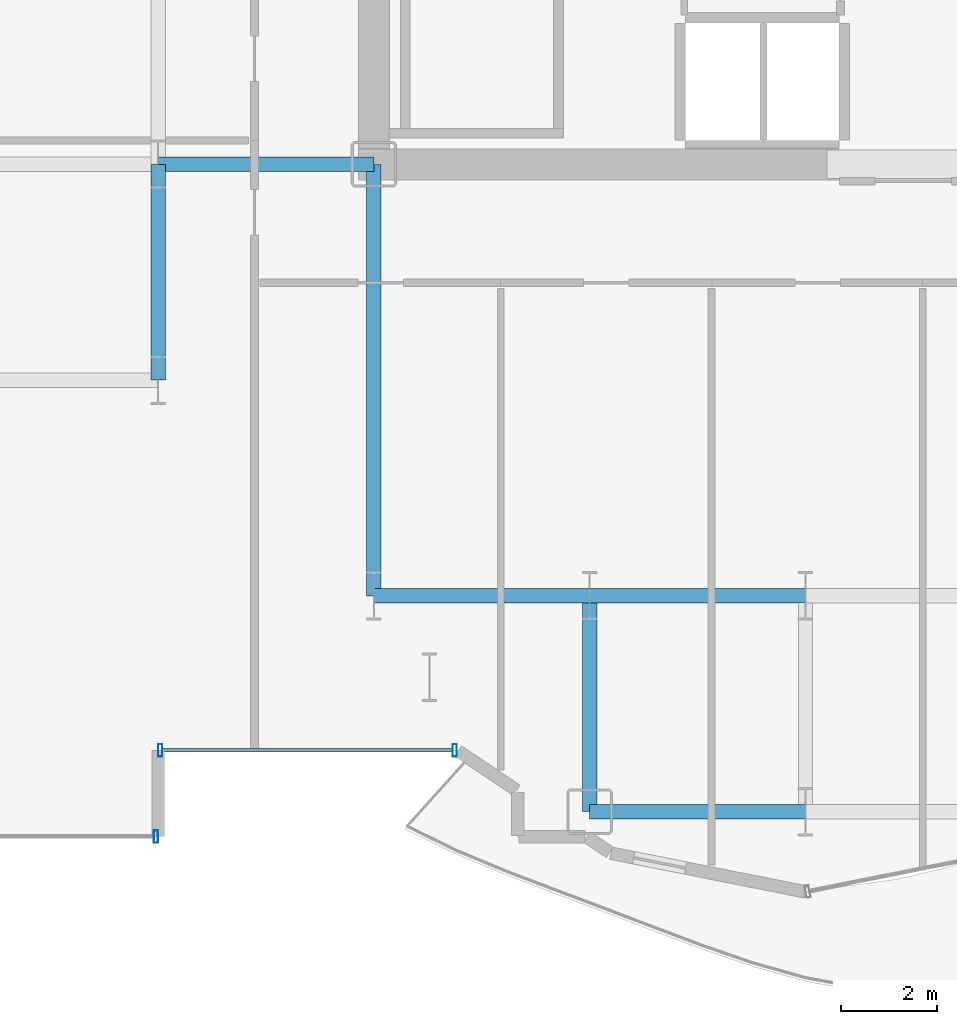
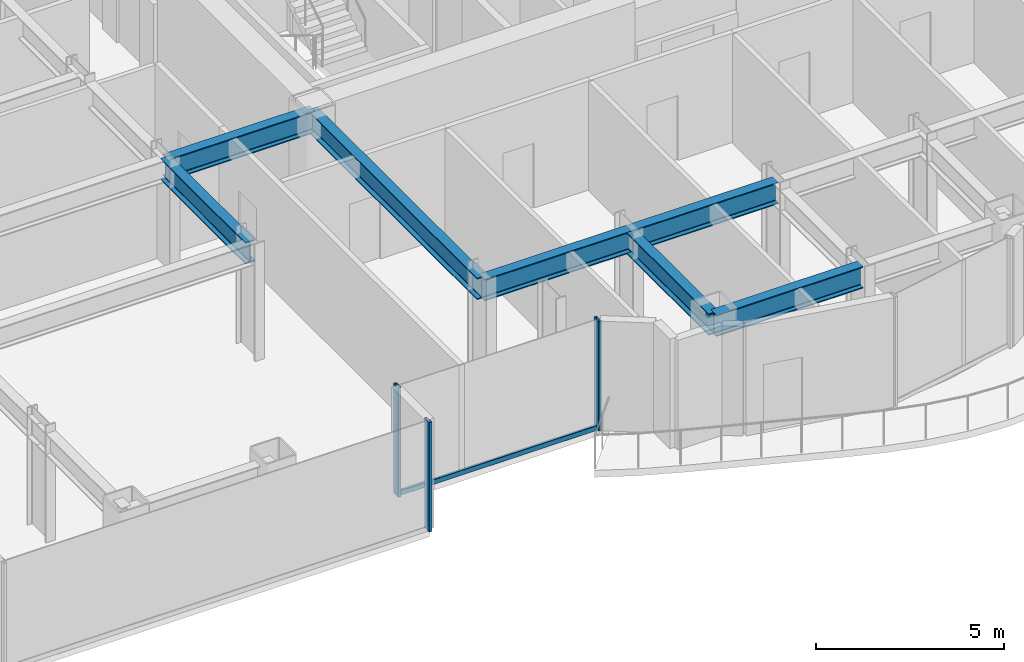
# One storey, part 4 of 29: 7 beams, 4 members, 2 elements without a shape of their own.
"""IFC4 building model written with IfcOpenShell, lengths in metres."""

from ifc_helpers import new_model, si_unit, direction, frame, origin, origin_2d, place, context, subcontext, project, spatial, hollow_rectangle, i_section, extrude, source, transform, mapped, material, layer, layer_set, material_profile, profile_set, type_object, element, aggregate, save


model = new_model("IFC4")

# Units and contexts
model_context = context("Model", 3, precision=1e-05, world=origin(), true_north=direction((0.0, 1.0)))
body_context = subcontext(model_context, "Body", "Model", "MODEL_VIEW")
ifc_project = project(units=[si_unit("LENGTHUNIT", "METRE"), si_unit("AREAUNIT", "SQUARE_METRE"), si_unit("VOLUMEUNIT", "CUBIC_METRE"), si_unit("PLANEANGLEUNIT", "RADIAN"), si_unit("MASSUNIT", "GRAM", prefix="KILO")], contexts=[model_context])

# Site, building, storey
site_placement = place(None, origin())
site = spatial("IfcSite", under=ifc_project, at=site_placement, CompositionType="ELEMENT")
building_placement = place(site_placement, origin())
building = spatial("IfcBuilding", under=site, at=building_placement, Name="Nefas-Gora Pilgrimage Tower", CompositionType="ELEMENT")
storey_placement = place(building_placement, frame((0.0, 0.0, 44.39990234375)))
storey = spatial("IfcBuildingStorey", under=building, at=storey_placement, Name="L09", CompositionType="ELEMENT", Elevation=44.39990234375)

# Beams
ifc_material_1 = material(Name="Steel S355", Category="steel")
ifc_material_profile_1 = material_profile(ifc_material_1, i_section(OverallWidth=0.300048828125, OverallDepth=0.699951171875, WebThickness=0.01708984375, FlangeThickness=0.031982421875, FilletRadius=0.027099609375, at=origin_2d()), Name="HEB 700")
ifc_profile_set_1 = profile_set([ifc_material_profile_1], Name="Steel S355")
beam_type = type_object("IfcBeamType", Name="BM-GIR-HEB700", PredefinedType="BEAM", material=ifc_profile_set_1)
shared_shape_1 = source(origin(), body_context, "Body", "SweptSolid", [
    extrude(i_section(OverallWidth=0.300048828125, OverallDepth=0.699951171875, WebThickness=0.01708984375, FlangeThickness=0.031982421875, FilletRadius=0.027099609375, at=origin_2d()), origin(), (0.0, 0.0, 1.0), 9.0),
])
beam_placement = place(storey_placement, frame((-11.25, -18.0, 3.2001953125), z_axis=(0.0, 1.0, 0.0), x_axis=(-1.0, 0.0, 0.0)))
element("IfcBeam", 1, at=beam_placement, inside=storey, type_object=beam_type, Name="L09 G-02 beam", PredefinedType="BEAM", context=body_context, shape_type="MappedRepresentation", body=[
    mapped(shared_shape_1, transform((0.0, 0.0, 0.0), x_axis=(1.0, 0.0, 0.0), y_axis=(0.0, 1.0, 0.0), z_axis=(0.0, 0.0, 1.0), scale=1.0)),
])
shared_shape_2 = source(origin(), body_context, "Body", "SweptSolid", [
    extrude(i_section(OverallWidth=0.300048828125, OverallDepth=0.699951171875, WebThickness=0.01708984375, FlangeThickness=0.031982421875, FilletRadius=0.027099609375, at=origin_2d()), origin(), (0.0, 0.0, 1.0), 4.5),
])
for number, where, z_axis, x_axis, name in (
    (2, (-15.75, -13.5, 3.2001953125), (0.0, 1.0, 0.0), (-1.0, 0.0, 0.0), "L09 G-02 beam"),
    (3, (-15.75, -9.0, 3.2001953125), (1.0, 0.0, 0.0), (0.0, 1.0, 0.0), "L09 G-02 beam"),
    (4, (-11.25, -18.0, 3.2001953125), (1.0, 0.0, 0.0), (0.0, 1.0, 0.0), "L09 G-02 beam"),
    (5, (-6.75, -22.5, 3.2001953125), (0.0, 1.0, 0.0), (-1.0, 0.0, 0.0), "L09 G-02 beam"),
    (6, (-6.75, -22.5, 3.2001953125), (1.0, 0.0, 0.0), (0.0, 1.0, 0.0), "L09 G-02 beam"),
    (7, (-6.75, -18.0, 3.2001953125), (1.0, 0.0, 0.0), (0.0, 1.0, 0.0), "L09 G-02 beam"),
):
    element("IfcBeam", number, at=place(storey_placement, frame(where, z_axis=z_axis, x_axis=x_axis)), inside=storey, type_object=beam_type, Name=name, PredefinedType="BEAM", context=body_context, shape_type="MappedRepresentation", body=[
        mapped(shared_shape_2, transform((0.0, 0.0, 0.0), x_axis=(1.0, 0.0, 0.0), y_axis=(0.0, 1.0, 0.0), z_axis=(0.0, 0.0, 1.0), scale=1.0)),
    ])

# Curtain wall, members
ifc_material_2 = material(Name="Dark ceramic-fritted solar-control aluminium-glass curtain wall", Category="aluminium")
ifc_layer_1 = layer(ifc_material_2, 0.219970703125)
ifc_layer_set_1 = layer_set([ifc_layer_1], Name="Dark ceramic-fritted solar-control aluminium-glass curtain wall")
curtain_wall_type_1 = type_object("IfcCurtainWallType", Name="CW-SYS-5", PredefinedType="NOTDEFINED", material=ifc_layer_set_1)
curtain_wall_1_placement = place(storey_placement, origin())
curtain_wall_1 = element("IfcCurtainWall", 8, at=curtain_wall_1_placement, inside=storey, type_object=curtain_wall_type_1, Name="L09 Unitised Curtain Wall CW5", PredefinedType="NOTDEFINED")
ifc_material_3 = material(Name="Anodised architectural aluminium", Category="aluminium")
ifc_material_profile_2 = material_profile(ifc_material_3, hollow_rectangle(XDim=0.090087890625, YDim=0.260009765625, WallThickness=0.006103515625, InnerFilletRadius=0.006103515625, OuterFilletRadius=0.011962890625, at=origin_2d()), Name="ALU MULLION 90x260")
ifc_profile_set_2 = profile_set([ifc_material_profile_2], Name="Anodised architectural aluminium")
member_type_1 = type_object("IfcMemberType", Name="CWM-MUL-5", PredefinedType="MULLION", material=ifc_profile_set_2)
shared_shape_3 = source(origin(), body_context, "Body", "SweptSolid", [
    extrude(hollow_rectangle(XDim=0.090087890625, YDim=0.260009765625, WallThickness=0.006103515625, InnerFilletRadius=0.006103515625, OuterFilletRadius=0.011962890625, at=origin_2d()), origin(), (0.0, 0.0, 1.0), 3.550048828125),
])
member_1_placement = place(storey_placement, frame((-15.705078125, -21.219970703125, 0.0), z_axis=(0.0, 0.0, 1.0), x_axis=(1.0, 0.0, 0.0)))
member_1 = element("IfcMember", 9, at=member_1_placement, type_object=member_type_1, Name="CW5 Mullion 1", PredefinedType="MULLION", context=body_context, shape_type="MappedRepresentation", body=[
    mapped(shared_shape_3, transform((0.0, 0.0, 0.0), x_axis=(1.0, 0.0, 0.0), y_axis=(0.0, 1.0, 0.0), z_axis=(0.0, 0.0, 1.0), scale=1.0)),
])
member_2_placement = place(storey_placement, frame((-9.56298828125, -21.219970703125, 0.0), z_axis=(0.0, 0.0, 1.0), x_axis=(1.0, 0.0, 0.0)))
member_2 = element("IfcMember", 10, at=member_2_placement, type_object=member_type_1, Name="CW5 Mullion 2", PredefinedType="MULLION", context=body_context, shape_type="MappedRepresentation", body=[
    mapped(shared_shape_3, transform((0.0, 0.0, 0.0), x_axis=(1.0, 0.0, 0.0), y_axis=(0.0, 1.0, 0.0), z_axis=(0.0, 0.0, 1.0), scale=1.0)),
])
ifc_material_profile_3 = material_profile(ifc_material_3, hollow_rectangle(XDim=0.080078125, YDim=0.159912109375, WallThickness=0.00439453125, InnerFilletRadius=0.00439453125, OuterFilletRadius=0.009033203125, at=origin_2d()), Name="ALU TRANSOM 80x160")
ifc_profile_set_3 = profile_set([ifc_material_profile_3], Name="Anodised architectural aluminium")
member_type_2 = type_object("IfcMemberType", Name="CWM-TRN-5", PredefinedType="USERDEFINED", material=ifc_profile_set_3)
shared_shape_4 = source(origin(), body_context, "Body", "SweptSolid", [
    extrude(hollow_rectangle(XDim=0.080078125, YDim=0.159912109375, WallThickness=0.00439453125, InnerFilletRadius=0.00439453125, OuterFilletRadius=0.009033203125, at=origin_2d()), origin(), (0.0, 0.0, 1.0), 6.052001953125),
])
member_3_placement = place(storey_placement, frame((-15.659912109375, -21.219970703125, 0.050048828125), z_axis=(1.0, 0.0, 0.0), x_axis=(0.0, 1.0, 0.0)))
member_3 = element("IfcMember", 11, at=member_3_placement, type_object=member_type_2, Name="CW5 Spandrel Transom", ObjectType="TRANSOM", PredefinedType="USERDEFINED", context=body_context, shape_type="MappedRepresentation", body=[
    mapped(shared_shape_4, transform((0.0, 0.0, 0.0), x_axis=(1.0, 0.0, 0.0), y_axis=(0.0, 1.0, 0.0), z_axis=(0.0, 0.0, 1.0), scale=1.0)),
])
aggregate(curtain_wall_1, [member_1, member_2, member_3])

# Curtain wall, member
ifc_layer_2 = layer(ifc_material_2, 0.219970703125)
ifc_layer_set_2 = layer_set([ifc_layer_2], Name="Dark ceramic-fritted solar-control aluminium-glass curtain wall")
curtain_wall_type_2 = type_object("IfcCurtainWallType", Name="CW-SYS-2", PredefinedType="NOTDEFINED", material=ifc_layer_set_2)
curtain_wall_2_placement = place(storey_placement, origin())
curtain_wall_2 = element("IfcCurtainWall", 12, at=curtain_wall_2_placement, inside=storey, type_object=curtain_wall_type_2, Name="L09 Unitised Curtain Wall CW2", PredefinedType="NOTDEFINED")
ifc_material_profile_4 = material_profile(ifc_material_3, hollow_rectangle(XDim=0.090087890625, YDim=0.260009765625, WallThickness=0.006103515625, InnerFilletRadius=0.006103515625, OuterFilletRadius=0.011962890625, at=origin_2d()), Name="ALU MULLION 90x260")
ifc_profile_set_4 = profile_set([ifc_material_profile_4], Name="Anodised architectural aluminium")
member_type_3 = type_object("IfcMemberType", Name="CWM-MUL-2", PredefinedType="MULLION", material=ifc_profile_set_4)
shared_shape_5 = source(origin(), body_context, "Body", "SweptSolid", [
    extrude(hollow_rectangle(XDim=0.090087890625, YDim=0.260009765625, WallThickness=0.006103515625, InnerFilletRadius=0.006103515625, OuterFilletRadius=0.011962890625, at=origin_2d()), origin(), (0.0, 0.0, 1.0), 3.550048828125),
])
member_4_placement = place(storey_placement, frame((-15.794921875, -23.02001953125, 0.0), z_axis=(0.0, 0.0, 1.0), x_axis=(1.0, 0.0, 0.0)))
member_4 = element("IfcMember", 13, at=member_4_placement, type_object=member_type_3, Name="CW2 Mullion 2", PredefinedType="MULLION", context=body_context, shape_type="MappedRepresentation", body=[
    mapped(shared_shape_5, transform((0.0, 0.0, 0.0), x_axis=(1.0, 0.0, 0.0), y_axis=(0.0, 1.0, 0.0), z_axis=(0.0, 0.0, 1.0), scale=1.0)),
])
aggregate(curtain_wall_2, [member_4])

save(model, "model.ifc")
